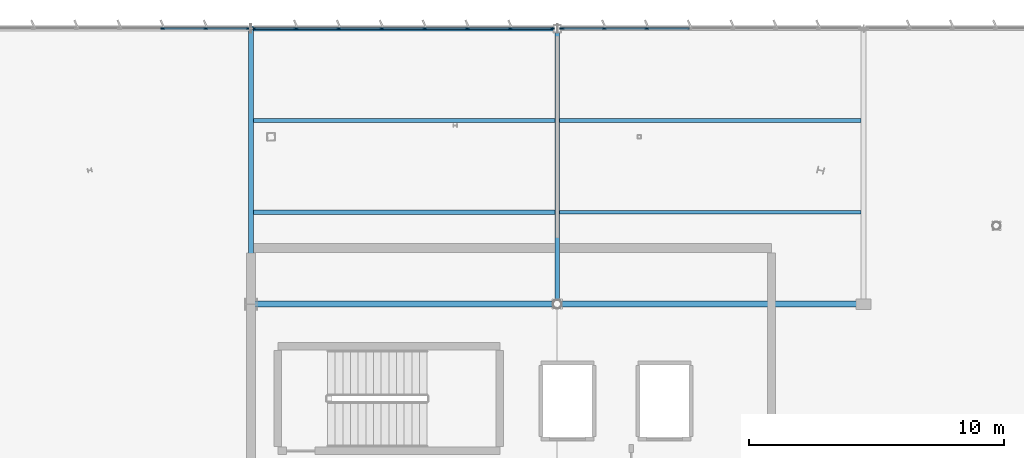
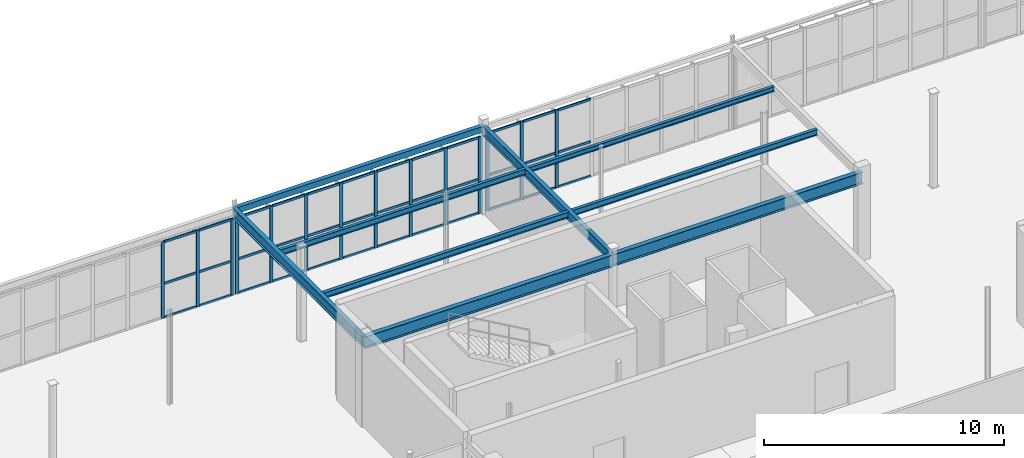
# One storey, part 102 of 226: 50 members, 9 beams, 3 elements without a shape of their own.
"""IFC4 building model written with IfcOpenShell, lengths in metres."""

from ifc_helpers import new_model, si_unit, direction, frame, origin, origin_2d, place, context, subcontext, project, spatial, rectangle, hollow_rectangle, i_section, extrude, material, layer, layer_set, material_profile, profile_set, type_object, element, aggregate, save


model = new_model("IFC4")

# Units and contexts
model_context = context("Model", 3, precision=1e-05, world=origin(), true_north=direction((0.0, 1.0)))
body_context = subcontext(model_context, "Body", "Model", "MODEL_VIEW")
ifc_project = project(units=[si_unit("LENGTHUNIT", "METRE"), si_unit("AREAUNIT", "SQUARE_METRE"), si_unit("VOLUMEUNIT", "CUBIC_METRE"), si_unit("PLANEANGLEUNIT", "RADIAN"), si_unit("MASSUNIT", "GRAM", prefix="KILO")], contexts=[model_context])

# Site, building, storey
site_placement = place(None, origin())
site = spatial("IfcSite", under=ifc_project, at=site_placement, CompositionType="ELEMENT")
building_placement = place(site_placement, origin())
building = spatial("IfcBuilding", under=site, at=building_placement, Name="Tarnwether General Hospital", CompositionType="ELEMENT")
storey_placement = place(building_placement, frame((0.0, 0.0, 4.800048828125)))
storey = spatial("IfcBuildingStorey", under=building, at=storey_placement, Name="L01", CompositionType="ELEMENT", Elevation=4.800048828125)

# Beams
ifc_material_1 = material(Name="Steel Grade 350 (350 MPa)", Category="steel")
ifc_material_profile_1 = material_profile(ifc_material_1, i_section(OverallWidth=0.22802734375, OverallDepth=0.60693359375, WebThickness=0.01123046875, FlangeThickness=0.017333984375, at=origin_2d()), Name="610UB113")
ifc_profile_set_1 = profile_set([ifc_material_profile_1], Name="Steel Grade 350 (350 MPa)")
beam_type_1 = type_object("IfcBeamType", Name="BM-G04", PredefinedType="BEAM", material=ifc_profile_set_1)
beam_1_placement = place(storey_placement, frame((84.0, 115.199951171875, 4.141357421875), z_axis=(1.0, 0.0, 0.0), x_axis=(0.0, 1.0, 0.0)))
element("IfcBeam", 1, at=beam_1_placement, inside=storey, type_object=beam_type_1, Name="Primary Girder BMG-L01-8400_11520-9600_11520-1156", PredefinedType="BEAM", context=body_context, shape_type="SweptSolid", body=[
    extrude(i_section(OverallWidth=0.22802734375, OverallDepth=0.60693359375, WebThickness=0.01123046875, FlangeThickness=0.017333984375, at=origin_2d()), origin(), (0.0, 0.0, 1.0), 12.0),
])
ifc_material_2 = material(Name="Steel Grade 350 (350 MPa)", Category="steel")
ifc_material_profile_2 = material_profile(ifc_material_2, i_section(OverallWidth=0.22802734375, OverallDepth=0.60205078125, WebThickness=0.010498046875, FlangeThickness=0.014892578125, at=origin_2d()), Name="610UB101")
ifc_profile_set_2 = profile_set([ifc_material_profile_2], Name="Steel Grade 350 (350 MPa)")
beam_type_2 = type_object("IfcBeamType", Name="BM-G05", PredefinedType="BEAM", material=ifc_profile_set_2)
beam_2_placement = place(storey_placement, frame((96.0, 115.199951171875, 4.14404296875), z_axis=(1.0, 0.0, 0.0), x_axis=(0.0, 1.0, 0.0)))
element("IfcBeam", 2, at=beam_2_placement, inside=storey, type_object=beam_type_2, Name="Primary Girder BMG-L01-9600_11520-10800_11520-1168", PredefinedType="BEAM", context=body_context, shape_type="SweptSolid", body=[
    extrude(i_section(OverallWidth=0.22802734375, OverallDepth=0.60205078125, WebThickness=0.010498046875, FlangeThickness=0.014892578125, at=origin_2d()), origin(), (0.0, 0.0, 1.0), 12.0),
])
ifc_material_3 = material(Name="Steel Grade 350 (350 MPa)", Category="steel")
ifc_material_profile_3 = material_profile(ifc_material_3, i_section(OverallWidth=0.208984375, OverallDepth=0.528076171875, WebThickness=0.009521484375, FlangeThickness=0.01318359375, at=origin_2d()), Name="530UB82.0")
ifc_profile_set_3 = profile_set([ifc_material_profile_3], Name="Steel Grade 350 (350 MPa)")
beam_type_3 = type_object("IfcBeamType", Name="BM-G07", PredefinedType="BEAM", material=ifc_profile_set_3)
beam_3_placement = place(storey_placement, frame((84.0, 115.199951171875, 4.180908203125), z_axis=(0.0, 1.0, 0.0), x_axis=(-1.0, 0.0, 0.0)))
element("IfcBeam", 3, at=beam_3_placement, inside=storey, type_object=beam_type_3, Name="Primary Girder BMG-L01-8400_11520-8400_12600-1157", PredefinedType="BEAM", context=body_context, shape_type="SweptSolid", body=[
    extrude(i_section(OverallWidth=0.208984375, OverallDepth=0.528076171875, WebThickness=0.009521484375, FlangeThickness=0.01318359375, at=origin_2d()), origin(), (0.0, 0.0, 1.0), 10.800048828125),
])
ifc_material_4 = material(Name="Steel Grade 350 (350 MPa)", Category="steel")
ifc_material_profile_4 = material_profile(ifc_material_4, i_section(OverallWidth=0.19091796875, OverallDepth=0.4599609375, WebThickness=0.010009765625, FlangeThickness=0.01611328125, at=origin_2d()), Name="460UB82.1")
ifc_profile_set_4 = profile_set([ifc_material_profile_4], Name="Steel Grade 350 (350 MPa)")
beam_type_4 = type_object("IfcBeamType", Name="BM-G08", PredefinedType="BEAM", material=ifc_profile_set_4)
beam_4_placement = place(storey_placement, frame((96.0, 115.199951171875, 4.21484375), z_axis=(0.0, 1.0, 0.0), x_axis=(-1.0, 0.0, 0.0)))
element("IfcBeam", 4, at=beam_4_placement, inside=storey, type_object=beam_type_4, Name="Primary Girder BMG-L01-9600_11520-9600_12600-1169", PredefinedType="BEAM", context=body_context, shape_type="SweptSolid", body=[
    extrude(i_section(OverallWidth=0.19091796875, OverallDepth=0.4599609375, WebThickness=0.010009765625, FlangeThickness=0.01611328125, at=origin_2d()), origin(), (0.0, 0.0, 1.0), 10.800048828125),
])
ifc_material_5 = material(Name="Steel Grade 350 (350 MPa)", Category="steel")
ifc_material_profile_5 = material_profile(ifc_material_5, i_section(OverallWidth=0.1650390625, OverallDepth=0.303955078125, WebThickness=0.006103515625, FlangeThickness=0.01025390625, at=origin_2d()), Name="310UB40.4")
ifc_profile_set_5 = profile_set([ifc_material_profile_5], Name="Steel Grade 350 (350 MPa)")
beam_type_5 = type_object("IfcBeamType", Name="BM-J07", PredefinedType="JOIST", material=ifc_profile_set_5)
beam_5_placement = place(storey_placement, frame((84.09912109375, 118.800048828125, 4.29296875), z_axis=(1.0, 0.0, 0.0), x_axis=(0.0, 1.0, 0.0)))
element("IfcBeam", 5, at=beam_5_placement, inside=storey, type_object=beam_type_5, Name="Composite Floor Joist BMG-L01-8410_11880-9591_11880-1367", PredefinedType="JOIST", context=body_context, shape_type="SweptSolid", body=[
    extrude(i_section(OverallWidth=0.1650390625, OverallDepth=0.303955078125, WebThickness=0.006103515625, FlangeThickness=0.01025390625, at=origin_2d()), origin(), (0.0, 0.0, 1.0), 11.810791015625),
])
ifc_material_6 = material(Name="Steel Grade 350 (350 MPa)", Category="steel")
ifc_material_profile_6 = material_profile(ifc_material_6, i_section(OverallWidth=0.14892578125, OverallDepth=0.298095703125, WebThickness=0.005615234375, FlangeThickness=0.008056640625, at=origin_2d()), Name="310UB32.0")
ifc_profile_set_6 = profile_set([ifc_material_profile_6], Name="Steel Grade 350 (350 MPa)")
beam_type_6 = type_object("IfcBeamType", Name="BM-J08", PredefinedType="JOIST", material=ifc_profile_set_6)
beam_6_placement = place(storey_placement, frame((84.09912109375, 122.39990234375, 4.2958984375), z_axis=(1.0, 0.0, 0.0), x_axis=(0.0, 1.0, 0.0)))
element("IfcBeam", 6, at=beam_6_placement, inside=storey, type_object=beam_type_6, Name="Composite Floor Joist BMG-L01-8410_12240-9591_12240-1368", PredefinedType="JOIST", context=body_context, shape_type="SweptSolid", body=[
    extrude(i_section(OverallWidth=0.14892578125, OverallDepth=0.298095703125, WebThickness=0.005615234375, FlangeThickness=0.008056640625, at=origin_2d()), origin(), (0.0, 0.0, 1.0), 11.810791015625),
])
beam_7_placement = place(storey_placement, frame((96.090087890625, 118.800048828125, 4.2958984375), z_axis=(1.0, 0.0, 0.0), x_axis=(0.0, 1.0, 0.0)))
element("IfcBeam", 7, at=beam_7_placement, inside=storey, type_object=beam_type_6, Name="Composite Floor Joist BMG-L01-9609_11880-10791_11880-1375", PredefinedType="JOIST", context=body_context, shape_type="SweptSolid", body=[
    extrude(i_section(OverallWidth=0.14892578125, OverallDepth=0.298095703125, WebThickness=0.005615234375, FlangeThickness=0.008056640625, at=origin_2d()), origin(), (0.0, 0.0, 1.0), 11.82080078125),
])
ifc_material_7 = material(Name="Steel Grade 350 (350 MPa)", Category="steel")
ifc_material_profile_7 = material_profile(ifc_material_7, i_section(OverallWidth=0.14599609375, OverallDepth=0.256103515625, WebThickness=0.00634765625, FlangeThickness=0.010986328125, at=origin_2d()), Name="250UB37.3")
ifc_profile_set_7 = profile_set([ifc_material_profile_7], Name="Steel Grade 350 (350 MPa)")
beam_type_7 = type_object("IfcBeamType", Name="BM-J09", PredefinedType="JOIST", material=ifc_profile_set_7)
beam_8_placement = place(storey_placement, frame((96.090087890625, 122.39990234375, 4.31689453125), z_axis=(1.0, 0.0, 0.0), x_axis=(0.0, 1.0, 0.0)))
element("IfcBeam", 8, at=beam_8_placement, inside=storey, type_object=beam_type_7, Name="Composite Floor Joist BMG-L01-9609_12240-10791_12240-1376", PredefinedType="JOIST", context=body_context, shape_type="SweptSolid", body=[
    extrude(i_section(OverallWidth=0.14599609375, OverallDepth=0.256103515625, WebThickness=0.00634765625, FlangeThickness=0.010986328125, at=origin_2d()), origin(), (0.0, 0.0, 1.0), 11.82080078125),
])
ifc_material_8 = material(Name="Steel Grade C350L0 (350 MPa)", Category="steel")
ifc_material_profile_8 = material_profile(ifc_material_8, hollow_rectangle(XDim=0.199951171875, YDim=0.300048828125, WallThickness=0.012451171875, at=origin_2d()), Name="RHS300x200x12.5")
ifc_profile_set_8 = profile_set([ifc_material_profile_8], Name="Steel Grade C350L0 (350 MPa)")
beam_type_8 = type_object("IfcBeamType", Name="BM-SP3", PredefinedType="SPANDREL", material=ifc_profile_set_8)
beam_9_placement = place(storey_placement, frame((84.0, 126.0, 4.294921875), z_axis=(1.0, 0.0, 0.0), x_axis=(0.0, 1.0, 0.0)))
element("IfcBeam", 9, at=beam_9_placement, inside=storey, type_object=beam_type_8, Name="Primary Girder BMG-L01-8400_12600-9600_12600-1158", PredefinedType="SPANDREL", context=body_context, shape_type="SweptSolid", body=[
    extrude(hollow_rectangle(XDim=0.199951171875, YDim=0.300048828125, WallThickness=0.012451171875, at=origin_2d()), origin(), (0.0, 0.0, 1.0), 12.0),
])

# Curtain wall, members
ifc_material_9 = material(Name="Anodised aluminium", Category="aluminium")
ifc_layer = layer(ifc_material_9, 0.159912109375)
ifc_layer_set = layer_set([ifc_layer], Name="Anodised aluminium")
curtain_wall_type = type_object("IfcCurtainWallType", Name="CW-14", PredefinedType="NOTDEFINED", material=ifc_layer_set)
curtain_wall_1_placement = place(storey_placement, origin())
curtain_wall_1 = element("IfcCurtainWall", 10, at=curtain_wall_1_placement, inside=storey, type_object=curtain_wall_type, Name="Curtain Wall CWG-L01-721_1260-0324", PredefinedType="NOTDEFINED")
ifc_material_10 = material(Name="Anodised aluminium", Category="aluminium")
ifc_material_profile_9 = material_profile(ifc_material_10, rectangle(XDim=0.06005859375, YDim=0.159912109375, at=origin_2d()), Name="ALU-MUL-60x160")
ifc_profile_set_9 = profile_set([ifc_material_profile_9], Name="Anodised aluminium")
member_type_1 = type_object("IfcMemberType", Name="CW-ML1", PredefinedType="MULLION", material=ifc_profile_set_9)
member_1_placement = place(storey_placement, frame((80.535400390625, 126.0, 0.0), z_axis=(0.0, 0.0, 1.0), x_axis=(0.0, 1.0, 0.0)))
member_1 = element("IfcMember", 11, at=member_1_placement, type_object=member_type_1, Name="CW-14 mullion 6", PredefinedType="MULLION", context=body_context, shape_type="SweptSolid", body=[
    extrude(rectangle(XDim=0.06005859375, YDim=0.159912109375, at=origin_2d()), origin(), (0.0, 0.0, 1.0), 3.90185546875),
])
member_2_placement = place(storey_placement, frame((82.225830078125, 126.0, 0.0), z_axis=(0.0, 0.0, 1.0), x_axis=(0.0, 1.0, 0.0)))
member_2 = element("IfcMember", 12, at=member_2_placement, type_object=member_type_1, Name="CW-14 mullion 7", PredefinedType="MULLION", context=body_context, shape_type="SweptSolid", body=[
    extrude(rectangle(XDim=0.06005859375, YDim=0.159912109375, at=origin_2d()), origin(), (0.0, 0.0, 1.0), 3.90185546875),
])
member_3_placement = place(storey_placement, frame((83.885986328125, 126.0, 0.0), z_axis=(0.0, 0.0, 1.0), x_axis=(0.0, 1.0, 0.0)))
member_3 = element("IfcMember", 13, at=member_3_placement, type_object=member_type_1, Name="CW-14 mullion 8", PredefinedType="MULLION", context=body_context, shape_type="SweptSolid", body=[
    extrude(rectangle(XDim=0.06005859375, YDim=0.159912109375, at=origin_2d()), origin(), (0.0, 0.0, 1.0), 3.90185546875),
])

curtain_wall_2_placement = place(storey_placement, origin())
curtain_wall_2 = element("IfcCurtainWall", 14, at=curtain_wall_2_placement, inside=storey, type_object=curtain_wall_type, Name="Curtain Wall CWG-L01-841_1260-0325", PredefinedType="NOTDEFINED")
member_4_placement = place(storey_placement, frame((84.114013671875, 126.0, 0.0), z_axis=(0.0, 0.0, 1.0), x_axis=(0.0, 1.0, 0.0)))
member_4 = element("IfcMember", 15, at=member_4_placement, type_object=member_type_1, Name="CW-14 mullion 1", PredefinedType="MULLION", context=body_context, shape_type="SweptSolid", body=[
    extrude(rectangle(XDim=0.06005859375, YDim=0.159912109375, at=origin_2d()), origin(), (0.0, 0.0, 1.0), 3.90185546875),
])
member_5_placement = place(storey_placement, frame((85.763671875, 126.0, 0.0), z_axis=(0.0, 0.0, 1.0), x_axis=(0.0, 1.0, 0.0)))
member_5 = element("IfcMember", 16, at=member_5_placement, type_object=member_type_1, Name="CW-14 mullion 2", PredefinedType="MULLION", context=body_context, shape_type="SweptSolid", body=[
    extrude(rectangle(XDim=0.06005859375, YDim=0.159912109375, at=origin_2d()), origin(), (0.0, 0.0, 1.0), 3.90185546875),
])
member_6_placement = place(storey_placement, frame((87.443359375, 126.0, 0.0), z_axis=(0.0, 0.0, 1.0), x_axis=(0.0, 1.0, 0.0)))
member_6 = element("IfcMember", 17, at=member_6_placement, type_object=member_type_1, Name="CW-14 mullion 3", PredefinedType="MULLION", context=body_context, shape_type="SweptSolid", body=[
    extrude(rectangle(XDim=0.06005859375, YDim=0.159912109375, at=origin_2d()), origin(), (0.0, 0.0, 1.0), 3.90185546875),
])
member_7_placement = place(storey_placement, frame((89.123046875, 126.0, 0.0), z_axis=(0.0, 0.0, 1.0), x_axis=(0.0, 1.0, 0.0)))
member_7 = element("IfcMember", 18, at=member_7_placement, type_object=member_type_1, Name="CW-14 mullion 4", PredefinedType="MULLION", context=body_context, shape_type="SweptSolid", body=[
    extrude(rectangle(XDim=0.06005859375, YDim=0.159912109375, at=origin_2d()), origin(), (0.0, 0.0, 1.0), 3.90185546875),
])
member_8_placement = place(storey_placement, frame((90.802978515625, 126.0, 0.0), z_axis=(0.0, 0.0, 1.0), x_axis=(0.0, 1.0, 0.0)))
member_8 = element("IfcMember", 19, at=member_8_placement, type_object=member_type_1, Name="CW-14 mullion 5", PredefinedType="MULLION", context=body_context, shape_type="SweptSolid", body=[
    extrude(rectangle(XDim=0.06005859375, YDim=0.159912109375, at=origin_2d()), origin(), (0.0, 0.0, 1.0), 3.90185546875),
])
member_9_placement = place(storey_placement, frame((92.482666015625, 126.0, 0.0), z_axis=(0.0, 0.0, 1.0), x_axis=(0.0, 1.0, 0.0)))
member_9 = element("IfcMember", 20, at=member_9_placement, type_object=member_type_1, Name="CW-14 mullion 6", PredefinedType="MULLION", context=body_context, shape_type="SweptSolid", body=[
    extrude(rectangle(XDim=0.06005859375, YDim=0.159912109375, at=origin_2d()), origin(), (0.0, 0.0, 1.0), 3.90185546875),
])
member_10_placement = place(storey_placement, frame((94.162353515625, 126.0, 0.0), z_axis=(0.0, 0.0, 1.0), x_axis=(0.0, 1.0, 0.0)))
member_10 = element("IfcMember", 21, at=member_10_placement, type_object=member_type_1, Name="CW-14 mullion 7", PredefinedType="MULLION", context=body_context, shape_type="SweptSolid", body=[
    extrude(rectangle(XDim=0.06005859375, YDim=0.159912109375, at=origin_2d()), origin(), (0.0, 0.0, 1.0), 3.90185546875),
])
member_11_placement = place(storey_placement, frame((95.81201171875, 126.0, 0.0), z_axis=(0.0, 0.0, 1.0), x_axis=(0.0, 1.0, 0.0)))
member_11 = element("IfcMember", 22, at=member_11_placement, type_object=member_type_1, Name="CW-14 mullion 8", PredefinedType="MULLION", context=body_context, shape_type="SweptSolid", body=[
    extrude(rectangle(XDim=0.06005859375, YDim=0.159912109375, at=origin_2d()), origin(), (0.0, 0.0, 1.0), 3.90185546875),
])

curtain_wall_3_placement = place(storey_placement, origin())
curtain_wall_3 = element("IfcCurtainWall", 23, at=curtain_wall_3_placement, inside=storey, type_object=curtain_wall_type, Name="Curtain Wall CWG-L01-962_1260-0326", PredefinedType="NOTDEFINED")
member_12_placement = place(storey_placement, frame((96.18798828125, 126.0, 0.0), z_axis=(0.0, 0.0, 1.0), x_axis=(0.0, 1.0, 0.0)))
member_12 = element("IfcMember", 24, at=member_12_placement, type_object=member_type_1, Name="CW-14 mullion 1", PredefinedType="MULLION", context=body_context, shape_type="SweptSolid", body=[
    extrude(rectangle(XDim=0.06005859375, YDim=0.159912109375, at=origin_2d()), origin(), (0.0, 0.0, 1.0), 3.969970703125),
])
member_13_placement = place(storey_placement, frame((97.8369140625, 126.0, 0.0), z_axis=(0.0, 0.0, 1.0), x_axis=(0.0, 1.0, 0.0)))
member_13 = element("IfcMember", 25, at=member_13_placement, type_object=member_type_1, Name="CW-14 mullion 2", PredefinedType="MULLION", context=body_context, shape_type="SweptSolid", body=[
    extrude(rectangle(XDim=0.06005859375, YDim=0.159912109375, at=origin_2d()), origin(), (0.0, 0.0, 1.0), 3.969970703125),
])
member_14_placement = place(storey_placement, frame((99.51611328125, 126.0, 0.0), z_axis=(0.0, 0.0, 1.0), x_axis=(0.0, 1.0, 0.0)))
member_14 = element("IfcMember", 26, at=member_14_placement, type_object=member_type_1, Name="CW-14 mullion 3", PredefinedType="MULLION", context=body_context, shape_type="SweptSolid", body=[
    extrude(rectangle(XDim=0.06005859375, YDim=0.159912109375, at=origin_2d()), origin(), (0.0, 0.0, 1.0), 3.969970703125),
])

# Member
ifc_material_11 = material(Name="Anodised aluminium", Category="aluminium")
ifc_material_profile_10 = material_profile(ifc_material_11, rectangle(XDim=0.06005859375, YDim=0.1201171875, at=origin_2d()), Name="ALU-TRN-60x120")
ifc_profile_set_10 = profile_set([ifc_material_profile_10], Name="Anodised aluminium")
member_type_2 = type_object("IfcMemberType", Name="CW-TR1", PredefinedType="USERDEFINED", material=ifc_profile_set_10)
member_15_placement = place(storey_placement, frame((80.5654296875, 126.0, 0.030029296875), z_axis=(1.0, 0.0, 0.0), x_axis=(0.0, 1.0, 0.0)))
member_15 = element("IfcMember", 27, at=member_15_placement, type_object=member_type_2, Name="CW-14 transom 6.1", ObjectType="TRANSOM", PredefinedType="USERDEFINED", context=body_context, shape_type="SweptSolid", body=[
    extrude(rectangle(XDim=0.06005859375, YDim=0.1201171875, at=origin_2d()), origin(), (0.0, 0.0, 1.0), 1.63037109375),
])

member_16_placement = place(storey_placement, frame((80.5654296875, 126.0, 1.755859375), z_axis=(1.0, 0.0, 0.0), x_axis=(0.0, 1.0, 0.0)))
member_16 = element("IfcMember", 28, at=member_16_placement, type_object=member_type_2, Name="CW-14 transom 6.2", ObjectType="TRANSOM", PredefinedType="USERDEFINED", context=body_context, shape_type="SweptSolid", body=[
    extrude(rectangle(XDim=0.06005859375, YDim=0.1201171875, at=origin_2d()), origin(), (0.0, 0.0, 1.0), 1.63037109375),
])

member_17_placement = place(storey_placement, frame((80.5654296875, 126.0, 3.8720703125), z_axis=(1.0, 0.0, 0.0), x_axis=(0.0, 1.0, 0.0)))
member_17 = element("IfcMember", 29, at=member_17_placement, type_object=member_type_2, Name="CW-14 transom 6.3", ObjectType="TRANSOM", PredefinedType="USERDEFINED", context=body_context, shape_type="SweptSolid", body=[
    extrude(rectangle(XDim=0.06005859375, YDim=0.1201171875, at=origin_2d()), origin(), (0.0, 0.0, 1.0), 1.63037109375),
])

member_18_placement = place(storey_placement, frame((82.255615234375, 126.0, 0.030029296875), z_axis=(1.0, 0.0, 0.0), x_axis=(0.0, 1.0, 0.0)))
member_18 = element("IfcMember", 30, at=member_18_placement, type_object=member_type_2, Name="CW-14 transom 7.1", ObjectType="TRANSOM", PredefinedType="USERDEFINED", context=body_context, shape_type="SweptSolid", body=[
    extrude(rectangle(XDim=0.06005859375, YDim=0.1201171875, at=origin_2d()), origin(), (0.0, 0.0, 1.0), 1.600341796875),
])

member_19_placement = place(storey_placement, frame((82.255615234375, 126.0, 1.755859375), z_axis=(1.0, 0.0, 0.0), x_axis=(0.0, 1.0, 0.0)))
member_19 = element("IfcMember", 31, at=member_19_placement, type_object=member_type_2, Name="CW-14 transom 7.2", ObjectType="TRANSOM", PredefinedType="USERDEFINED", context=body_context, shape_type="SweptSolid", body=[
    extrude(rectangle(XDim=0.06005859375, YDim=0.1201171875, at=origin_2d()), origin(), (0.0, 0.0, 1.0), 1.600341796875),
])

member_20_placement = place(storey_placement, frame((82.255615234375, 126.0, 3.8720703125), z_axis=(1.0, 0.0, 0.0), x_axis=(0.0, 1.0, 0.0)))
member_20 = element("IfcMember", 32, at=member_20_placement, type_object=member_type_2, Name="CW-14 transom 7.3", ObjectType="TRANSOM", PredefinedType="USERDEFINED", context=body_context, shape_type="SweptSolid", body=[
    extrude(rectangle(XDim=0.06005859375, YDim=0.1201171875, at=origin_2d()), origin(), (0.0, 0.0, 1.0), 1.600341796875),
])

aggregate(curtain_wall_1, [member_1, member_2, member_3, member_15, member_16, member_17, member_18, member_19, member_20])

member_21_placement = place(storey_placement, frame((84.14404296875, 126.0, 0.030029296875), z_axis=(1.0, 0.0, 0.0), x_axis=(0.0, 1.0, 0.0)))
member_21 = element("IfcMember", 33, at=member_21_placement, type_object=member_type_2, Name="CW-14 transom 1.1", ObjectType="TRANSOM", PredefinedType="USERDEFINED", context=body_context, shape_type="SweptSolid", body=[
    extrude(rectangle(XDim=0.06005859375, YDim=0.1201171875, at=origin_2d()), origin(), (0.0, 0.0, 1.0), 1.589599609375),
])

member_22_placement = place(storey_placement, frame((84.14404296875, 126.0, 1.755859375), z_axis=(1.0, 0.0, 0.0), x_axis=(0.0, 1.0, 0.0)))
member_22 = element("IfcMember", 34, at=member_22_placement, type_object=member_type_2, Name="CW-14 transom 1.2", ObjectType="TRANSOM", PredefinedType="USERDEFINED", context=body_context, shape_type="SweptSolid", body=[
    extrude(rectangle(XDim=0.06005859375, YDim=0.1201171875, at=origin_2d()), origin(), (0.0, 0.0, 1.0), 1.589599609375),
])

member_23_placement = place(storey_placement, frame((84.14404296875, 126.0, 3.8720703125), z_axis=(1.0, 0.0, 0.0), x_axis=(0.0, 1.0, 0.0)))
member_23 = element("IfcMember", 35, at=member_23_placement, type_object=member_type_2, Name="CW-14 transom 1.3", ObjectType="TRANSOM", PredefinedType="USERDEFINED", context=body_context, shape_type="SweptSolid", body=[
    extrude(rectangle(XDim=0.06005859375, YDim=0.1201171875, at=origin_2d()), origin(), (0.0, 0.0, 1.0), 1.589599609375),
])

member_24_placement = place(storey_placement, frame((85.793701171875, 126.0, 0.030029296875), z_axis=(1.0, 0.0, 0.0), x_axis=(0.0, 1.0, 0.0)))
member_24 = element("IfcMember", 36, at=member_24_placement, type_object=member_type_2, Name="CW-14 transom 2.1", ObjectType="TRANSOM", PredefinedType="USERDEFINED", context=body_context, shape_type="SweptSolid", body=[
    extrude(rectangle(XDim=0.06005859375, YDim=0.1201171875, at=origin_2d()), origin(), (0.0, 0.0, 1.0), 1.61962890625),
])

member_25_placement = place(storey_placement, frame((85.793701171875, 126.0, 1.755859375), z_axis=(1.0, 0.0, 0.0), x_axis=(0.0, 1.0, 0.0)))
member_25 = element("IfcMember", 37, at=member_25_placement, type_object=member_type_2, Name="CW-14 transom 2.2", ObjectType="TRANSOM", PredefinedType="USERDEFINED", context=body_context, shape_type="SweptSolid", body=[
    extrude(rectangle(XDim=0.06005859375, YDim=0.1201171875, at=origin_2d()), origin(), (0.0, 0.0, 1.0), 1.61962890625),
])

member_26_placement = place(storey_placement, frame((85.793701171875, 126.0, 3.8720703125), z_axis=(1.0, 0.0, 0.0), x_axis=(0.0, 1.0, 0.0)))
member_26 = element("IfcMember", 38, at=member_26_placement, type_object=member_type_2, Name="CW-14 transom 2.3", ObjectType="TRANSOM", PredefinedType="USERDEFINED", context=body_context, shape_type="SweptSolid", body=[
    extrude(rectangle(XDim=0.06005859375, YDim=0.1201171875, at=origin_2d()), origin(), (0.0, 0.0, 1.0), 1.61962890625),
])

member_27_placement = place(storey_placement, frame((87.473388671875, 126.0, 0.030029296875), z_axis=(1.0, 0.0, 0.0), x_axis=(0.0, 1.0, 0.0)))
member_27 = element("IfcMember", 39, at=member_27_placement, type_object=member_type_2, Name="CW-14 transom 3.1", ObjectType="TRANSOM", PredefinedType="USERDEFINED", context=body_context, shape_type="SweptSolid", body=[
    extrude(rectangle(XDim=0.06005859375, YDim=0.1201171875, at=origin_2d()), origin(), (0.0, 0.0, 1.0), 1.619873046875),
])

member_28_placement = place(storey_placement, frame((87.473388671875, 126.0, 1.755859375), z_axis=(1.0, 0.0, 0.0), x_axis=(0.0, 1.0, 0.0)))
member_28 = element("IfcMember", 40, at=member_28_placement, type_object=member_type_2, Name="CW-14 transom 3.2", ObjectType="TRANSOM", PredefinedType="USERDEFINED", context=body_context, shape_type="SweptSolid", body=[
    extrude(rectangle(XDim=0.06005859375, YDim=0.1201171875, at=origin_2d()), origin(), (0.0, 0.0, 1.0), 1.619873046875),
])

member_29_placement = place(storey_placement, frame((87.473388671875, 126.0, 3.8720703125), z_axis=(1.0, 0.0, 0.0), x_axis=(0.0, 1.0, 0.0)))
member_29 = element("IfcMember", 41, at=member_29_placement, type_object=member_type_2, Name="CW-14 transom 3.3", ObjectType="TRANSOM", PredefinedType="USERDEFINED", context=body_context, shape_type="SweptSolid", body=[
    extrude(rectangle(XDim=0.06005859375, YDim=0.1201171875, at=origin_2d()), origin(), (0.0, 0.0, 1.0), 1.619873046875),
])

member_30_placement = place(storey_placement, frame((89.153076171875, 126.0, 0.030029296875), z_axis=(1.0, 0.0, 0.0), x_axis=(0.0, 1.0, 0.0)))
member_30 = element("IfcMember", 42, at=member_30_placement, type_object=member_type_2, Name="CW-14 transom 4.1", ObjectType="TRANSOM", PredefinedType="USERDEFINED", context=body_context, shape_type="SweptSolid", body=[
    extrude(rectangle(XDim=0.06005859375, YDim=0.1201171875, at=origin_2d()), origin(), (0.0, 0.0, 1.0), 1.619873046875),
])

member_31_placement = place(storey_placement, frame((89.153076171875, 126.0, 1.755859375), z_axis=(1.0, 0.0, 0.0), x_axis=(0.0, 1.0, 0.0)))
member_31 = element("IfcMember", 43, at=member_31_placement, type_object=member_type_2, Name="CW-14 transom 4.2", ObjectType="TRANSOM", PredefinedType="USERDEFINED", context=body_context, shape_type="SweptSolid", body=[
    extrude(rectangle(XDim=0.06005859375, YDim=0.1201171875, at=origin_2d()), origin(), (0.0, 0.0, 1.0), 1.619873046875),
])

member_32_placement = place(storey_placement, frame((89.153076171875, 126.0, 3.8720703125), z_axis=(1.0, 0.0, 0.0), x_axis=(0.0, 1.0, 0.0)))
member_32 = element("IfcMember", 44, at=member_32_placement, type_object=member_type_2, Name="CW-14 transom 4.3", ObjectType="TRANSOM", PredefinedType="USERDEFINED", context=body_context, shape_type="SweptSolid", body=[
    extrude(rectangle(XDim=0.06005859375, YDim=0.1201171875, at=origin_2d()), origin(), (0.0, 0.0, 1.0), 1.619873046875),
])

member_33_placement = place(storey_placement, frame((90.832763671875, 126.0, 0.030029296875), z_axis=(1.0, 0.0, 0.0), x_axis=(0.0, 1.0, 0.0)))
member_33 = element("IfcMember", 45, at=member_33_placement, type_object=member_type_2, Name="CW-14 transom 5.1", ObjectType="TRANSOM", PredefinedType="USERDEFINED", context=body_context, shape_type="SweptSolid", body=[
    extrude(rectangle(XDim=0.06005859375, YDim=0.1201171875, at=origin_2d()), origin(), (0.0, 0.0, 1.0), 1.619873046875),
])

member_34_placement = place(storey_placement, frame((90.832763671875, 126.0, 1.755859375), z_axis=(1.0, 0.0, 0.0), x_axis=(0.0, 1.0, 0.0)))
member_34 = element("IfcMember", 46, at=member_34_placement, type_object=member_type_2, Name="CW-14 transom 5.2", ObjectType="TRANSOM", PredefinedType="USERDEFINED", context=body_context, shape_type="SweptSolid", body=[
    extrude(rectangle(XDim=0.06005859375, YDim=0.1201171875, at=origin_2d()), origin(), (0.0, 0.0, 1.0), 1.619873046875),
])

member_35_placement = place(storey_placement, frame((90.832763671875, 126.0, 3.8720703125), z_axis=(1.0, 0.0, 0.0), x_axis=(0.0, 1.0, 0.0)))
member_35 = element("IfcMember", 47, at=member_35_placement, type_object=member_type_2, Name="CW-14 transom 5.3", ObjectType="TRANSOM", PredefinedType="USERDEFINED", context=body_context, shape_type="SweptSolid", body=[
    extrude(rectangle(XDim=0.06005859375, YDim=0.1201171875, at=origin_2d()), origin(), (0.0, 0.0, 1.0), 1.619873046875),
])

member_36_placement = place(storey_placement, frame((92.512451171875, 126.0, 0.030029296875), z_axis=(1.0, 0.0, 0.0), x_axis=(0.0, 1.0, 0.0)))
member_36 = element("IfcMember", 48, at=member_36_placement, type_object=member_type_2, Name="CW-14 transom 6.1", ObjectType="TRANSOM", PredefinedType="USERDEFINED", context=body_context, shape_type="SweptSolid", body=[
    extrude(rectangle(XDim=0.06005859375, YDim=0.1201171875, at=origin_2d()), origin(), (0.0, 0.0, 1.0), 1.619873046875),
])

member_37_placement = place(storey_placement, frame((92.512451171875, 126.0, 1.755859375), z_axis=(1.0, 0.0, 0.0), x_axis=(0.0, 1.0, 0.0)))
member_37 = element("IfcMember", 49, at=member_37_placement, type_object=member_type_2, Name="CW-14 transom 6.2", ObjectType="TRANSOM", PredefinedType="USERDEFINED", context=body_context, shape_type="SweptSolid", body=[
    extrude(rectangle(XDim=0.06005859375, YDim=0.1201171875, at=origin_2d()), origin(), (0.0, 0.0, 1.0), 1.619873046875),
])

member_38_placement = place(storey_placement, frame((92.512451171875, 126.0, 3.8720703125), z_axis=(1.0, 0.0, 0.0), x_axis=(0.0, 1.0, 0.0)))
member_38 = element("IfcMember", 50, at=member_38_placement, type_object=member_type_2, Name="CW-14 transom 6.3", ObjectType="TRANSOM", PredefinedType="USERDEFINED", context=body_context, shape_type="SweptSolid", body=[
    extrude(rectangle(XDim=0.06005859375, YDim=0.1201171875, at=origin_2d()), origin(), (0.0, 0.0, 1.0), 1.619873046875),
])

member_39_placement = place(storey_placement, frame((94.1923828125, 126.0, 0.030029296875), z_axis=(1.0, 0.0, 0.0), x_axis=(0.0, 1.0, 0.0)))
member_39 = element("IfcMember", 51, at=member_39_placement, type_object=member_type_2, Name="CW-14 transom 7.1", ObjectType="TRANSOM", PredefinedType="USERDEFINED", context=body_context, shape_type="SweptSolid", body=[
    extrude(rectangle(XDim=0.06005859375, YDim=0.1201171875, at=origin_2d()), origin(), (0.0, 0.0, 1.0), 1.589599609375),
])

member_40_placement = place(storey_placement, frame((94.1923828125, 126.0, 1.755859375), z_axis=(1.0, 0.0, 0.0), x_axis=(0.0, 1.0, 0.0)))
member_40 = element("IfcMember", 52, at=member_40_placement, type_object=member_type_2, Name="CW-14 transom 7.2", ObjectType="TRANSOM", PredefinedType="USERDEFINED", context=body_context, shape_type="SweptSolid", body=[
    extrude(rectangle(XDim=0.06005859375, YDim=0.1201171875, at=origin_2d()), origin(), (0.0, 0.0, 1.0), 1.589599609375),
])

member_41_placement = place(storey_placement, frame((94.1923828125, 126.0, 3.8720703125), z_axis=(1.0, 0.0, 0.0), x_axis=(0.0, 1.0, 0.0)))
member_41 = element("IfcMember", 53, at=member_41_placement, type_object=member_type_2, Name="CW-14 transom 7.3", ObjectType="TRANSOM", PredefinedType="USERDEFINED", context=body_context, shape_type="SweptSolid", body=[
    extrude(rectangle(XDim=0.06005859375, YDim=0.1201171875, at=origin_2d()), origin(), (0.0, 0.0, 1.0), 1.589599609375),
])

aggregate(curtain_wall_2, [member_4, member_5, member_6, member_7, member_8, member_9, member_10, member_11, member_21, member_22, member_23, member_24, member_25, member_26, member_27, member_28, member_29, member_30, member_31, member_32, member_33, member_34, member_35, member_36, member_37, member_38, member_39, member_40, member_41])

member_42_placement = place(storey_placement, frame((96.218017578125, 126.0, 0.030029296875), z_axis=(1.0, 0.0, 0.0), x_axis=(0.0, 1.0, 0.0)))
member_42 = element("IfcMember", 54, at=member_42_placement, type_object=member_type_2, Name="CW-14 transom 1.1", ObjectType="TRANSOM", PredefinedType="USERDEFINED", context=body_context, shape_type="SweptSolid", body=[
    extrude(rectangle(XDim=0.06005859375, YDim=0.1201171875, at=origin_2d()), origin(), (0.0, 0.0, 1.0), 1.5888671875),
])

member_43_placement = place(storey_placement, frame((96.218017578125, 126.0, 1.786376953125), z_axis=(1.0, 0.0, 0.0), x_axis=(0.0, 1.0, 0.0)))
member_43 = element("IfcMember", 55, at=member_43_placement, type_object=member_type_2, Name="CW-14 transom 1.2", ObjectType="TRANSOM", PredefinedType="USERDEFINED", context=body_context, shape_type="SweptSolid", body=[
    extrude(rectangle(XDim=0.06005859375, YDim=0.1201171875, at=origin_2d()), origin(), (0.0, 0.0, 1.0), 1.5888671875),
])

member_44_placement = place(storey_placement, frame((96.218017578125, 126.0, 3.93994140625), z_axis=(1.0, 0.0, 0.0), x_axis=(0.0, 1.0, 0.0)))
member_44 = element("IfcMember", 56, at=member_44_placement, type_object=member_type_2, Name="CW-14 transom 1.3", ObjectType="TRANSOM", PredefinedType="USERDEFINED", context=body_context, shape_type="SweptSolid", body=[
    extrude(rectangle(XDim=0.06005859375, YDim=0.1201171875, at=origin_2d()), origin(), (0.0, 0.0, 1.0), 1.5888671875),
])

member_45_placement = place(storey_placement, frame((97.866943359375, 126.0, 0.030029296875), z_axis=(1.0, 0.0, 0.0), x_axis=(0.0, 1.0, 0.0)))
member_45 = element("IfcMember", 57, at=member_45_placement, type_object=member_type_2, Name="CW-14 transom 2.1", ObjectType="TRANSOM", PredefinedType="USERDEFINED", context=body_context, shape_type="SweptSolid", body=[
    extrude(rectangle(XDim=0.06005859375, YDim=0.1201171875, at=origin_2d()), origin(), (0.0, 0.0, 1.0), 1.619140625),
])

member_46_placement = place(storey_placement, frame((97.866943359375, 126.0, 1.786376953125), z_axis=(1.0, 0.0, 0.0), x_axis=(0.0, 1.0, 0.0)))
member_46 = element("IfcMember", 58, at=member_46_placement, type_object=member_type_2, Name="CW-14 transom 2.2", ObjectType="TRANSOM", PredefinedType="USERDEFINED", context=body_context, shape_type="SweptSolid", body=[
    extrude(rectangle(XDim=0.06005859375, YDim=0.1201171875, at=origin_2d()), origin(), (0.0, 0.0, 1.0), 1.619140625),
])

member_47_placement = place(storey_placement, frame((97.866943359375, 126.0, 3.93994140625), z_axis=(1.0, 0.0, 0.0), x_axis=(0.0, 1.0, 0.0)))
member_47 = element("IfcMember", 59, at=member_47_placement, type_object=member_type_2, Name="CW-14 transom 2.3", ObjectType="TRANSOM", PredefinedType="USERDEFINED", context=body_context, shape_type="SweptSolid", body=[
    extrude(rectangle(XDim=0.06005859375, YDim=0.1201171875, at=origin_2d()), origin(), (0.0, 0.0, 1.0), 1.619140625),
])

member_48_placement = place(storey_placement, frame((99.5458984375, 126.0, 0.030029296875), z_axis=(1.0, 0.0, 0.0), x_axis=(0.0, 1.0, 0.0)))
member_48 = element("IfcMember", 60, at=member_48_placement, type_object=member_type_2, Name="CW-14 transom 3.1", ObjectType="TRANSOM", PredefinedType="USERDEFINED", context=body_context, shape_type="SweptSolid", body=[
    extrude(rectangle(XDim=0.06005859375, YDim=0.1201171875, at=origin_2d()), origin(), (0.0, 0.0, 1.0), 1.619140625),
])

member_49_placement = place(storey_placement, frame((99.5458984375, 126.0, 1.786376953125), z_axis=(1.0, 0.0, 0.0), x_axis=(0.0, 1.0, 0.0)))
member_49 = element("IfcMember", 61, at=member_49_placement, type_object=member_type_2, Name="CW-14 transom 3.2", ObjectType="TRANSOM", PredefinedType="USERDEFINED", context=body_context, shape_type="SweptSolid", body=[
    extrude(rectangle(XDim=0.06005859375, YDim=0.1201171875, at=origin_2d()), origin(), (0.0, 0.0, 1.0), 1.619140625),
])

member_50_placement = place(storey_placement, frame((99.5458984375, 126.0, 3.93994140625), z_axis=(1.0, 0.0, 0.0), x_axis=(0.0, 1.0, 0.0)))
member_50 = element("IfcMember", 62, at=member_50_placement, type_object=member_type_2, Name="CW-14 transom 3.3", ObjectType="TRANSOM", PredefinedType="USERDEFINED", context=body_context, shape_type="SweptSolid", body=[
    extrude(rectangle(XDim=0.06005859375, YDim=0.1201171875, at=origin_2d()), origin(), (0.0, 0.0, 1.0), 1.619140625),
])

aggregate(curtain_wall_3, [member_12, member_13, member_14, member_42, member_43, member_44, member_45, member_46, member_47, member_48, member_49, member_50])

save(model, "model.ifc")
